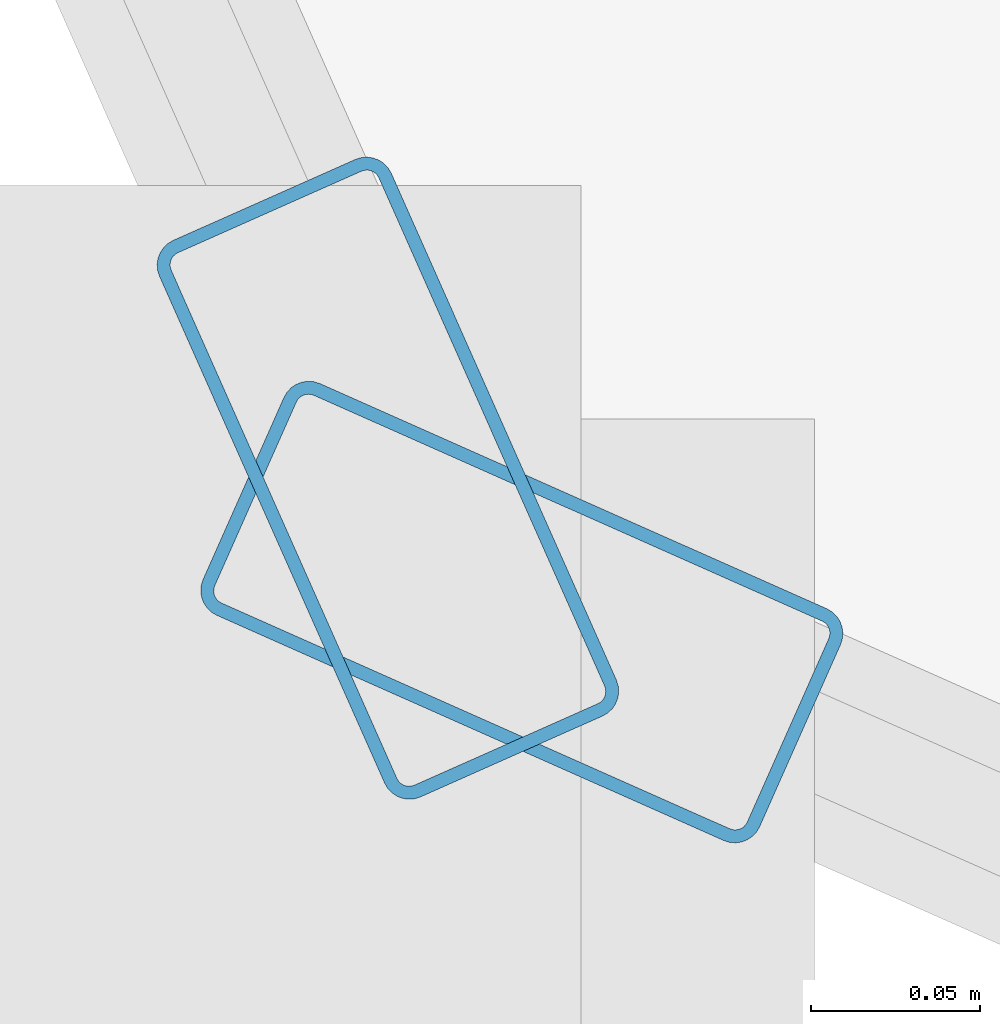
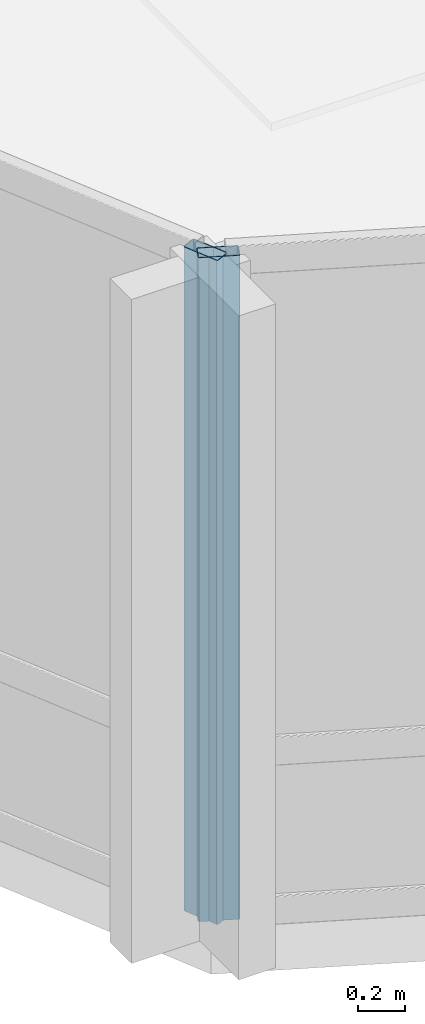
# One storey, part 2 of 29: 2 members, 2 elements without a shape of their own.
"""IFC4 building model written with IfcOpenShell, lengths in metres."""

import ifcopenshell
import ifcopenshell.guid

model = None  # the IFC model being written
_history = None  # IfcOwnerHistory: only IFC2X3 demands one
_inside = {}  # id of a spatial element -> (the spatial element, [elements in it])
_under = {}  # id of a project, library or spatial element -> (it, [spatial elements below it])
_declared = {}  # id of a project -> (the project, [libraries it declares])
_typed = {}  # id of a type object -> (the type object, [elements of that type])
_made_of = {}  # id of a material, layer set ... -> (it, [elements and type objects made of it])


def new_model(schema):
    """Start an empty IFC model of exactly this schema.

    Asked for "IFC4X3", IfcOpenShell would pick the latest addendum, in which some entities
    have other attributes; the version numbers below select the first issue.
    IFC2X3 requires an IfcOwnerHistory on every rooted entity: one is made here for all.
    """
    global model, _history
    if schema == "IFC4X3":
        model = ifcopenshell.file(schema_version=(4, 3, 0, 0))
    else:
        model = ifcopenshell.file(schema=schema)
    _inside.clear()
    _under.clear()
    _declared.clear()
    _typed.clear()
    _made_of.clear()
    _history = None
    if model.schema == "IFC2X3":
        org = make("IfcOrganization", Name="unknown")
        user = make(
            "IfcPersonAndOrganization",
            ThePerson=make("IfcPerson", FamilyName="unknown"),
            TheOrganization=org,
        )
        app = make(
            "IfcApplication",
            ApplicationDeveloper=org,
            Version="unknown",
            ApplicationFullName="unknown",
            ApplicationIdentifier="unknown",
        )
        _history = make(
            "IfcOwnerHistory",
            OwningUser=user,
            OwningApplication=app,
            ChangeAction="ADDED",
            CreationDate=0,
        )
    return model


def make(cls, **values):
    """One entity of the class cls with the attributes given. An attribute that is None is left unset."""
    return model.create_entity(
        cls, **{name: value for name, value in values.items() if value is not None}
    )


def rooted(cls, **values):
    """An entity with a GlobalId (a new one), such as an element, a storey or a relation."""
    return make(cls, GlobalId=ifcopenshell.guid.new(), OwnerHistory=_history, **values)


def si_unit(unit_type, name, prefix=None):
    """IfcSIUnit, for example si_unit("LENGTHUNIT", "METRE", prefix="MILLI")."""
    return make("IfcSIUnit", UnitType=unit_type, Prefix=prefix, Name=name)


def assignment(units):
    """IfcUnitAssignment: the units of a project."""
    return None if units is None else make("IfcUnitAssignment", Units=units)


def point(xyz):
    """IfcCartesianPoint."""
    return None if xyz is None else make("IfcCartesianPoint", Coordinates=xyz)


def direction(xyz):
    """IfcDirection."""
    return None if xyz is None else make("IfcDirection", DirectionRatios=xyz)


def frame(location, z_axis=None, x_axis=None):
    """IfcAxis2Placement3D, a coordinate frame: its origin and axes. An axis left out is left unset."""
    return make(
        "IfcAxis2Placement3D",
        Location=point(location),
        Axis=direction(z_axis),
        RefDirection=direction(x_axis),
    )


def frame_2d(location, x_axis=None):
    """IfcAxis2Placement2D, a coordinate frame in the plane: its origin and x axis."""
    return make(
        "IfcAxis2Placement2D", Location=point(location), RefDirection=direction(x_axis)
    )


def origin():
    """The frame at (0, 0, 0) with its axes left unset."""
    return frame((0.0, 0.0, 0.0))


def origin_2d():
    """The frame at (0, 0) in the plane with its x axis left unset."""
    return frame_2d((0.0, 0.0))


def place(relative_to, where):
    """IfcLocalPlacement: puts the frame where relative to a parent placement (None: the world)."""
    return make(
        "IfcLocalPlacement", PlacementRelTo=relative_to, RelativePlacement=where
    )


def context(
    kind, dimensions, precision=None, world=None, true_north=None, identifier=None
):
    """IfcGeometricRepresentationContext, for example the 3D "Model" context."""
    return make(
        "IfcGeometricRepresentationContext",
        ContextIdentifier=identifier,
        ContextType=kind,
        CoordinateSpaceDimension=dimensions,
        Precision=precision,
        WorldCoordinateSystem=world,
        TrueNorth=true_north,
    )


def subcontext(parent, identifier, kind, view, scale=None):
    """IfcGeometricRepresentationSubContext, for example "Body" below "Model"."""
    return make(
        "IfcGeometricRepresentationSubContext",
        ContextIdentifier=identifier,
        ContextType=kind,
        ParentContext=parent,
        TargetScale=scale,
        TargetView=view,
    )


def project(units=None, contexts=None):
    """IfcProject with its units and contexts."""
    return rooted(
        "IfcProject",
        Name="project",
        RepresentationContexts=contexts,
        UnitsInContext=assignment(units),
    )


def spatial(cls, under=None, at=None, **own):
    """A site, building, storey or space (cls), placed at a placement, below another one or the project."""
    s = rooted(cls, ObjectPlacement=at, **own)
    if under is not None:
        _under.setdefault(under.id(), (under, []))[1].append(s)
    return s


def profile(cls, at=None, kind="AREA", **sizes):
    """A parametric profile (cls). Its sizes go by their IFC names, for example OverallWidth=200.0."""
    return make(cls, ProfileType=kind, Position=at, **sizes)


def hollow_rectangle(**sizes):
    """IfcRectangleHollowProfileDef."""
    return profile("IfcRectangleHollowProfileDef", **sizes)


def extrude(swept, where, along, depth):
    """IfcExtrudedAreaSolid: the profile swept, set in the frame where, extruded along a direction by depth."""
    return make(
        "IfcExtrudedAreaSolid",
        SweptArea=swept,
        Position=where,
        ExtrudedDirection=direction(along),
        Depth=depth,
    )


def shape(context_of_items, identifier, shape_type, items):
    """IfcShapeRepresentation: the items that make up one representation, for example the "Body"."""
    return make(
        "IfcShapeRepresentation",
        ContextOfItems=context_of_items,
        RepresentationIdentifier=identifier,
        RepresentationType=shape_type,
        Items=items,
    )


def material(Name=None, Category=None):
    """IfcMaterial."""
    return make("IfcMaterial", Name=Name, Category=Category)


def layer(
    of_material, thickness, ventilated=None, Name=None, Category=None, Priority=None
):
    """IfcMaterialLayer: one layer of a wall or slab, of a material (None: an air gap)."""
    return make(
        "IfcMaterialLayer",
        Material=of_material,
        LayerThickness=thickness,
        IsVentilated=ventilated,
        Name=Name,
        Category=Category,
        Priority=Priority,
    )


def layer_set(layers, Name=None):
    """IfcMaterialLayerSet."""
    return make("IfcMaterialLayerSet", MaterialLayers=layers, LayerSetName=Name)


def material_profile(
    of_material, cross_section, Name=None, Category=None, Priority=None
):
    """IfcMaterialProfile: a cross section and its material."""
    return make(
        "IfcMaterialProfile",
        Name=Name,
        Material=of_material,
        Profile=cross_section,
        Priority=Priority,
        Category=Category,
    )


def profile_set(profiles, Name=None, composite=None):
    """IfcMaterialProfileSet."""
    return make(
        "IfcMaterialProfileSet",
        Name=Name,
        MaterialProfiles=profiles,
        CompositeProfile=composite,
    )


def made_of(thing, what):
    """Note that an element or type object is made of a material, layer set ...; save() writes the relation."""
    if what is not None:
        _made_of.setdefault(what.id(), (what, []))[1].append(thing)
    return thing


def type_object(cls, material=None, **own):
    """A type object (cls), such as IfcWallType, which elements share."""
    return made_of(rooted(cls, **own), material)


def element(
    cls,
    number,
    at=None,
    inside=None,
    cuts=None,
    type_object=None,
    material=None,
    context=None,
    identifier="Body",
    shape_type=None,
    held_by="IfcProductDefinitionShape",
    body=None,
    shapes=None,
    **own,
):
    """One element of the class cls, such as IfcWall. Its Tag is "e" and its number.

    at: its placement. inside: the storey or other place that contains it. cuts: it is an
    opening in that element (IfcRelVoidsElement). A single representation is given by context,
    identifier, shape_type and body (its items); several are given by shapes. held_by: the class
    of the entity that holds the representations. save() writes the other relations.
    """
    e = rooted(cls, Tag="e%d" % number, ObjectPlacement=at, **own)
    if body is not None:
        shapes = [shape(context, identifier, shape_type, body)]
    if shapes is not None:
        e.Representation = make(held_by, Representations=shapes)
    if inside is not None:
        _inside.setdefault(inside.id(), (inside, []))[1].append(e)
    if cuts is not None:
        rooted(
            "IfcRelVoidsElement", RelatingBuildingElement=cuts, RelatedOpeningElement=e
        )
    if type_object is not None:
        _typed.setdefault(type_object.id(), (type_object, []))[1].append(e)
    return made_of(e, material)


def aggregate(whole, parts):
    """IfcRelAggregates: a whole, such as a stair, and the parts it consists of."""
    return rooted("IfcRelAggregates", RelatingObject=whole, RelatedObjects=parts)


def save(model, path):
    """Write the relations noted so far, then the file.

    IfcRelAggregates (storeys below a building ...), IfcRelContainedInSpatialStructure (elements
    in a storey), IfcRelDefinesByType, IfcRelAssociatesMaterial and IfcRelDeclares: one each for
    every whole, place, type object, material and project.
    """
    for whole, parts in _under.values():
        aggregate(whole, parts)
    for where, things in _inside.values():
        rooted(
            "IfcRelContainedInSpatialStructure",
            RelatedElements=things,
            RelatingStructure=where,
        )
    for kind, things in _typed.values():
        rooted("IfcRelDefinesByType", RelatedObjects=things, RelatingType=kind)
    for what, things in _made_of.values():
        rooted("IfcRelAssociatesMaterial", RelatedObjects=things, RelatingMaterial=what)
    for by, libraries in _declared.values():
        rooted("IfcRelDeclares", RelatingContext=by, RelatedDefinitions=libraries)
    model.write(path)


model = new_model("IFC4")

# Units and contexts
model_context = context("Model", 3, precision=1e-05, world=origin(), true_north=direction((0.0, 1.0)))
body_context = subcontext(model_context, "Body", "Model", "MODEL_VIEW")
ifc_project = project(units=[si_unit("LENGTHUNIT", "METRE"), si_unit("AREAUNIT", "SQUARE_METRE"), si_unit("VOLUMEUNIT", "CUBIC_METRE"), si_unit("PLANEANGLEUNIT", "RADIAN"), si_unit("MASSUNIT", "GRAM", prefix="KILO")], contexts=[model_context])

# Site, building, storey
site_placement = place(None, origin())
site = spatial("IfcSite", under=ifc_project, at=site_placement, CompositionType="ELEMENT")
building_placement = place(site_placement, origin())
building = spatial("IfcBuilding", under=site, at=building_placement, Name="Solvaryn Broadcast Tower", CompositionType="ELEMENT")
storey_placement = place(building_placement, frame((0.0, 0.0, 124.800048828125)))
storey = spatial("IfcBuildingStorey", under=building, at=storey_placement, Name="L30", CompositionType="ELEMENT", Elevation=124.800048828125)

# Curtain wall, member
ifc_material_1 = material(Name="Aluminium and Terracotta Unitised Curtain Wall", Category="masonry")
ifc_layer = layer(ifc_material_1, 0.199951171875)
ifc_layer_set = layer_set([ifc_layer], Name="CW-SYS2-LOWMID")
curtain_wall_type = type_object("IfcCurtainWallType", Name="CW-SYS2-LOWMID", PredefinedType="NOTDEFINED", material=ifc_layer_set)
curtain_wall_1_placement = place(storey_placement, origin())
curtain_wall_1 = element("IfcCurtainWall", 1, at=curtain_wall_1_placement, inside=storey, type_object=curtain_wall_type, Name="L30 Curtain Wall DR2", PredefinedType="NOTDEFINED")
ifc_material_2 = material(Name="Anodised Aluminium 6063-T6", Category="aluminium")
ifc_material_profile = material_profile(ifc_material_2, hollow_rectangle(XDim=0.074951171875, YDim=0.179931640625, WallThickness=0.00390625, InnerFilletRadius=0.00390625, OuterFilletRadius=0.008056640625, at=origin_2d()))
ifc_profile_set = profile_set([ifc_material_profile], Name="Anodised Aluminium 6063-T6")
member_type = type_object("IfcMemberType", Name="CW-MUL-180", PredefinedType="MULLION", material=ifc_profile_set)
member_1_placement = place(storey_placement, frame((8.895751953125, 8.935302734375, 0.0), z_axis=(0.0, 0.0, 1.0), x_axis=(0.913909311008, 0.405918429309, 0.0)))
member_1 = element("IfcMember", 2, at=member_1_placement, type_object=member_type, Name="CWS2 mullion 2", PredefinedType="MULLION", context=body_context, shape_type="SweptSolid", body=[
    extrude(hollow_rectangle(XDim=0.074951171875, YDim=0.179931640625, WallThickness=0.00390625, InnerFilletRadius=0.00390625, OuterFilletRadius=0.008056640625, at=origin_2d()), origin(), (0.0, 0.0, 1.0), 3.419921875),
])
aggregate(curtain_wall_1, [member_1])

curtain_wall_2_placement = place(storey_placement, origin())
curtain_wall_2 = element("IfcCurtainWall", 3, at=curtain_wall_2_placement, inside=storey, type_object=curtain_wall_type, Name="L30 Curtain Wall DR3", PredefinedType="NOTDEFINED")
member_2_placement = place(storey_placement, frame((8.935302734375, 8.895751953125, 0.0), z_axis=(0.0, 0.0, 1.0), x_axis=(0.405918429309, 0.913909311008, 0.0)))
member_2 = element("IfcMember", 4, at=member_2_placement, type_object=member_type, Name="CWS2 mullion 1", PredefinedType="MULLION", context=body_context, shape_type="SweptSolid", body=[
    extrude(hollow_rectangle(XDim=0.074951171875, YDim=0.179931640625, WallThickness=0.00390625, InnerFilletRadius=0.00390625, OuterFilletRadius=0.008056640625, at=origin_2d()), origin(), (0.0, 0.0, 1.0), 3.419921875),
])
aggregate(curtain_wall_2, [member_2])

save(model, "model.ifc")
